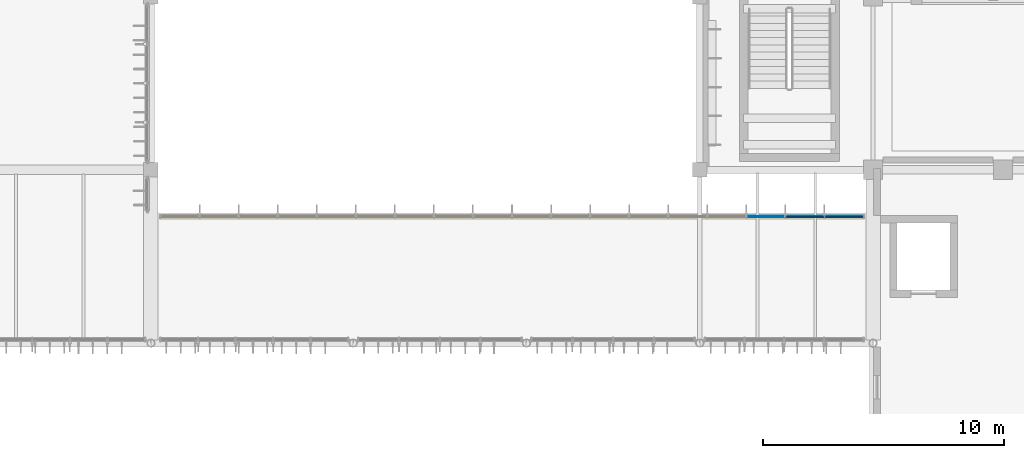
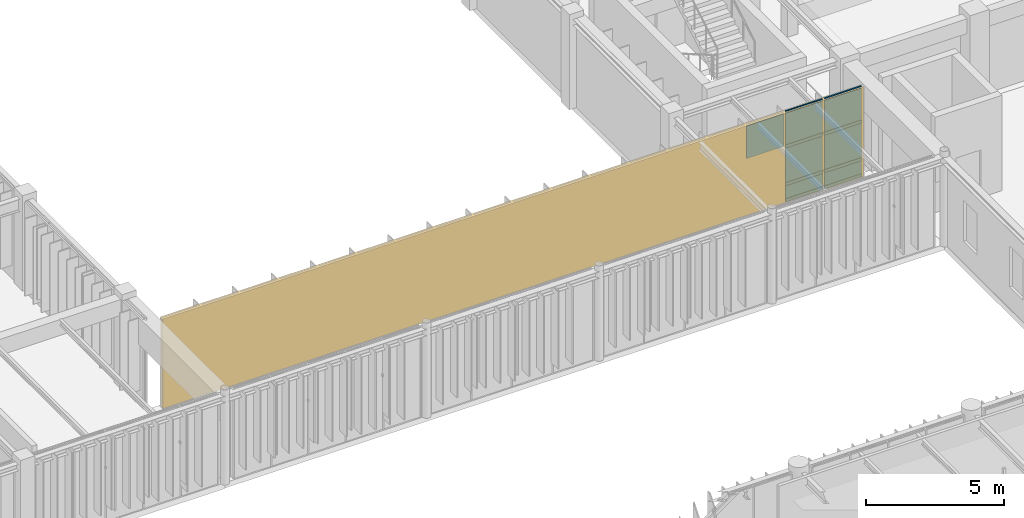
# One storey, part 79 of 122: 8 members, 7 plates, plus 1 element that does not belong to this part.
"""IFC4 building model written with IfcOpenShell, lengths in metres."""

from ifc_helpers import new_model, si_unit, direction, frame, frame_2d, origin, origin_2d, place, context, subcontext, project, spatial, rectangle, extrude, material, layer, layer_set, material_profile, profile_set, type_object, element, aggregate, save


model = new_model("IFC4")

# Units and contexts
model_context = context("Model", 3, precision=1e-05, world=origin(), true_north=direction((0.0, 1.0)))
body_context = subcontext(model_context, "Body", "Model", "MODEL_VIEW")
ifc_project = project(units=[si_unit("LENGTHUNIT", "METRE"), si_unit("AREAUNIT", "SQUARE_METRE"), si_unit("VOLUMEUNIT", "CUBIC_METRE"), si_unit("PLANEANGLEUNIT", "RADIAN"), si_unit("MASSUNIT", "GRAM", prefix="KILO")], contexts=[model_context])

# Member
ifc_material_1 = material(Name="Anodised Bronze Aluminium 6063-T6", Category="aluminium")
ifc_material_profile = material_profile(ifc_material_1, rectangle(XDim=0.06005859375, YDim=0.139892578125, at=origin_2d()), Name="ALU TRANSOM 60x140")
ifc_profile_set = profile_set([ifc_material_profile], Name="Anodised Bronze Aluminium 6063-T6")
member_type = type_object("IfcMemberType", Name="Curtain-Wall Transom 60x140", PredefinedType="USERDEFINED", material=ifc_profile_set)
site_placement = place(None, origin())
building_placement = place(site_placement, origin())
storey_placement = place(building_placement, frame((0.0, 0.0, 4.800048828125)))
member_1_placement = place(storey_placement, frame((53.990478515625, 49.85009765625, 0.0400390625), z_axis=(1.0, 0.0, 0.0), x_axis=(0.0, 1.0, 0.0)))
member_1 = element("IfcMember", 1, at=member_1_placement, type_object=member_type, Name="Transom CWT-01 CW-WLNK-N-L01-T17.1", ObjectType="TRANSOM", PredefinedType="USERDEFINED", context=body_context, shape_type="SweptSolid", body=[
    extrude(rectangle(XDim=0.06005859375, YDim=0.139892578125, at=origin_2d()), origin(), (0.0, 0.0, 1.0), 1.55224609375),
])

member_2_placement = place(storey_placement, frame((53.990478515625, 49.85009765625, 0.75), z_axis=(1.0, 0.0, 0.0), x_axis=(0.0, 1.0, 0.0)))
member_2 = element("IfcMember", 2, at=member_2_placement, type_object=member_type, Name="Transom CWT-01 CW-WLNK-N-L01-T17.2", ObjectType="TRANSOM", PredefinedType="USERDEFINED", context=body_context, shape_type="SweptSolid", body=[
    extrude(rectangle(XDim=0.06005859375, YDim=0.139892578125, at=origin_2d()), origin(), (0.0, 0.0, 1.0), 1.55224609375),
])

member_3_placement = place(storey_placement, frame((53.990478515625, 49.85009765625, 2.40869140625), z_axis=(1.0, 0.0, 0.0), x_axis=(0.0, 1.0, 0.0)))
member_3 = element("IfcMember", 3, at=member_3_placement, type_object=member_type, Name="Transom CWT-01 CW-WLNK-N-L01-T17.3", ObjectType="TRANSOM", PredefinedType="USERDEFINED", context=body_context, shape_type="SweptSolid", body=[
    extrude(rectangle(XDim=0.06005859375, YDim=0.139892578125, at=origin_2d()), origin(), (0.0, 0.0, 1.0), 1.55224609375),
])

member_4_placement = place(storey_placement, frame((53.990478515625, 49.85009765625, 3.89990234375), z_axis=(1.0, 0.0, 0.0), x_axis=(0.0, 1.0, 0.0)))
member_4 = element("IfcMember", 4, at=member_4_placement, type_object=member_type, Name="Transom CWT-01 CW-WLNK-N-L01-T17.4", ObjectType="TRANSOM", PredefinedType="USERDEFINED", context=body_context, shape_type="SweptSolid", body=[
    extrude(rectangle(XDim=0.06005859375, YDim=0.139892578125, at=origin_2d()), origin(), (0.0, 0.0, 1.0), 1.55224609375),
])

member_5_placement = place(storey_placement, frame((55.61279296875, 49.85009765625, 0.0400390625), z_axis=(1.0, 0.0, 0.0), x_axis=(0.0, 1.0, 0.0)))
member_5 = element("IfcMember", 5, at=member_5_placement, type_object=member_type, Name="Transom CWT-01 CW-WLNK-N-L01-T18.1", ObjectType="TRANSOM", PredefinedType="USERDEFINED", context=body_context, shape_type="SweptSolid", body=[
    extrude(rectangle(XDim=0.06005859375, YDim=0.139892578125, at=origin_2d()), origin(), (0.0, 0.0, 1.0), 1.55224609375),
])

member_6_placement = place(storey_placement, frame((55.61279296875, 49.85009765625, 0.75), z_axis=(1.0, 0.0, 0.0), x_axis=(0.0, 1.0, 0.0)))
member_6 = element("IfcMember", 6, at=member_6_placement, type_object=member_type, Name="Transom CWT-01 CW-WLNK-N-L01-T18.2", ObjectType="TRANSOM", PredefinedType="USERDEFINED", context=body_context, shape_type="SweptSolid", body=[
    extrude(rectangle(XDim=0.06005859375, YDim=0.139892578125, at=origin_2d()), origin(), (0.0, 0.0, 1.0), 1.55224609375),
])

member_7_placement = place(storey_placement, frame((55.61279296875, 49.85009765625, 2.40869140625), z_axis=(1.0, 0.0, 0.0), x_axis=(0.0, 1.0, 0.0)))
member_7 = element("IfcMember", 7, at=member_7_placement, type_object=member_type, Name="Transom CWT-01 CW-WLNK-N-L01-T18.3", ObjectType="TRANSOM", PredefinedType="USERDEFINED", context=body_context, shape_type="SweptSolid", body=[
    extrude(rectangle(XDim=0.06005859375, YDim=0.139892578125, at=origin_2d()), origin(), (0.0, 0.0, 1.0), 1.55224609375),
])

member_8_placement = place(storey_placement, frame((55.61279296875, 49.85009765625, 3.89990234375), z_axis=(1.0, 0.0, 0.0), x_axis=(0.0, 1.0, 0.0)))
member_8 = element("IfcMember", 8, at=member_8_placement, type_object=member_type, Name="Transom CWT-01 CW-WLNK-N-L01-T18.4", ObjectType="TRANSOM", PredefinedType="USERDEFINED", context=body_context, shape_type="SweptSolid", body=[
    extrude(rectangle(XDim=0.06005859375, YDim=0.139892578125, at=origin_2d()), origin(), (0.0, 0.0, 1.0), 1.55224609375),
])

# Plate
ifc_material_2 = material(Name="Insulated Bronze Aluminium Spandrel Panel", Category="aluminium")
ifc_layer_1 = layer(ifc_material_2, 0.050048828125, Name="Insulated Bronze Aluminium Spandrel Panel")
ifc_layer_set_1 = layer_set([ifc_layer_1], Name="Insulated Bronze Aluminium Spandrel Panel")
plate_type_1 = type_object("IfcPlateType", Name="Insulated Anodised Aluminium Spandrel Cassette 50", PredefinedType="CURTAIN_PANEL", material=ifc_layer_set_1)
plate_1_placement = place(storey_placement, frame((54.7666015625, 49.85009765625, 0.070068359375), z_axis=(0.0, 0.0, 1.0), x_axis=(1.0, 0.0, 0.0)))
plate_1 = element("IfcPlate", 9, at=plate_1_placement, type_object=plate_type_1, Name="Curtain Panel CWP-03 CW-WLNK-N-L01-P17.1", PredefinedType="CURTAIN_PANEL", context=body_context, shape_type="SweptSolid", body=[
    extrude(rectangle(XDim=1.55224609375, YDim=0.050048828125, at=origin_2d()), origin(), (0.0, 0.0, 1.0), 0.64990234375),
])

plate_2_placement = place(storey_placement, frame((56.388916015625, 49.85009765625, 0.070068359375), z_axis=(0.0, 0.0, 1.0), x_axis=(1.0, 0.0, 0.0)))
plate_2 = element("IfcPlate", 10, at=plate_2_placement, type_object=plate_type_1, Name="Curtain Panel CWP-03 CW-WLNK-N-L01-P18.1", PredefinedType="CURTAIN_PANEL", context=body_context, shape_type="SweptSolid", body=[
    extrude(rectangle(XDim=1.55224609375, YDim=0.050048828125, at=origin_2d()), origin(), (0.0, 0.0, 1.0), 0.64990234375),
])

ifc_material_3 = material(Name="Solar-Control Tempered Double Glazing", Category="glass")
ifc_layer_2 = layer(ifc_material_3, 0.0380859375, Name="Solar-Control Tempered Double Glazing")
ifc_layer_set_2 = layer_set([ifc_layer_2], Name="Solar-Control Tempered Double Glazing")
plate_type_2 = type_object("IfcPlateType", Name="Solar-Control Vision Glazing Unit 38", PredefinedType="CURTAIN_PANEL", material=ifc_layer_set_2)
plate_3_placement = place(storey_placement, frame((53.144287109375, 49.85009765625, 2.438720703125), z_axis=(0.0, 0.0, 1.0), x_axis=(1.0, 0.0, 0.0)))
plate_3 = element("IfcPlate", 11, at=plate_3_placement, type_object=plate_type_2, Name="Curtain Panel CWP-02 CW-WLNK-N-L01-P16.3", PredefinedType="CURTAIN_PANEL", context=body_context, shape_type="SweptSolid", body=[
    extrude(rectangle(XDim=1.55224609375, YDim=0.0380859375, at=origin_2d()), origin(), (0.0, 0.0, 1.0), 1.43115234375),
])

plate_4_placement = place(storey_placement, frame((54.7666015625, 49.85009765625, 0.77978515625), z_axis=(0.0, 0.0, 1.0), x_axis=(1.0, 0.0, 0.0)))
plate_4 = element("IfcPlate", 12, at=plate_4_placement, type_object=plate_type_2, Name="Curtain Panel CWP-02 CW-WLNK-N-L01-P17.2", PredefinedType="CURTAIN_PANEL", context=body_context, shape_type="SweptSolid", body=[
    extrude(rectangle(XDim=1.55224609375, YDim=0.0380859375, at=origin_2d()), origin(), (0.0, 0.0, 1.0), 1.598876953125),
])

plate_5_placement = place(storey_placement, frame((54.7666015625, 49.85009765625, 2.438720703125), z_axis=(0.0, 0.0, 1.0), x_axis=(1.0, 0.0, 0.0)))
plate_5 = element("IfcPlate", 13, at=plate_5_placement, type_object=plate_type_2, Name="Curtain Panel CWP-02 CW-WLNK-N-L01-P17.3", PredefinedType="CURTAIN_PANEL", context=body_context, shape_type="SweptSolid", body=[
    extrude(rectangle(XDim=1.55224609375, YDim=0.0380859375, at=origin_2d()), origin(), (0.0, 0.0, 1.0), 1.43115234375),
])

plate_6_placement = place(storey_placement, frame((56.388916015625, 49.85009765625, 0.77978515625), z_axis=(0.0, 0.0, 1.0), x_axis=(1.0, 0.0, 0.0)))
plate_6 = element("IfcPlate", 14, at=plate_6_placement, type_object=plate_type_2, Name="Curtain Panel CWP-02 CW-WLNK-N-L01-P18.2", PredefinedType="CURTAIN_PANEL", context=body_context, shape_type="SweptSolid", body=[
    extrude(rectangle(XDim=1.55224609375, YDim=0.0380859375, at=origin_2d()), origin(), (0.0, 0.0, 1.0), 1.598876953125),
])

plate_7_placement = place(storey_placement, frame((56.388916015625, 49.85009765625, 2.438720703125), z_axis=(0.0, 0.0, 1.0), x_axis=(1.0, 0.0, 0.0)))
plate_7 = element("IfcPlate", 15, at=plate_7_placement, type_object=plate_type_2, Name="Curtain Panel CWP-02 CW-WLNK-N-L01-P18.3", PredefinedType="CURTAIN_PANEL", context=body_context, shape_type="SweptSolid", body=[
    extrude(rectangle(XDim=1.55224609375, YDim=0.0380859375, at=origin_2d()), origin(), (0.0, 0.0, 1.0), 1.43115234375),
])

# Site, building, storey
site = spatial("IfcSite", under=ifc_project, at=site_placement, CompositionType="ELEMENT")
building = spatial("IfcBuilding", under=site, at=building_placement, Name="Tazoul Stagehouse", CompositionType="ELEMENT")
storey = spatial("IfcBuildingStorey", under=building, at=storey_placement, Name="L01", CompositionType="ELEMENT", Elevation=4.800048828125)

# Curtain wall
curtain_wall_type = type_object("IfcCurtainWallType", Name="Atrium Clerestory Glazed Wall", PredefinedType="NOTDEFINED", material=ifc_material_1)
curtain_wall_placement = place(storey_placement, frame((28.0, 49.85009765625, 0.0), z_axis=(0.0, 0.0, 1.0), x_axis=(1.0, 0.0, 0.0)))
curtain_wall = element("IfcCurtainWall", 16, at=curtain_wall_placement, inside=storey, type_object=curtain_wall_type, Name="L01 Curtain Wall CW-05 (CW-WLNK-N-L01)", PredefinedType="NOTDEFINED", context=body_context, shape_type="SweptSolid", body=[
    extrude(rectangle(XDim=29.199951171875, YDim=0.179931640625, at=frame_2d((14.60009765625, 0.0))), origin(), (0.0, 0.0, 1.0), 3.93994140625),
])

aggregate(curtain_wall, [plate_3, member_1, member_2, member_3, member_4, plate_1, plate_4, plate_5, member_5, member_6, member_7, member_8, plate_2, plate_6, plate_7])

save(model, "model.ifc")
